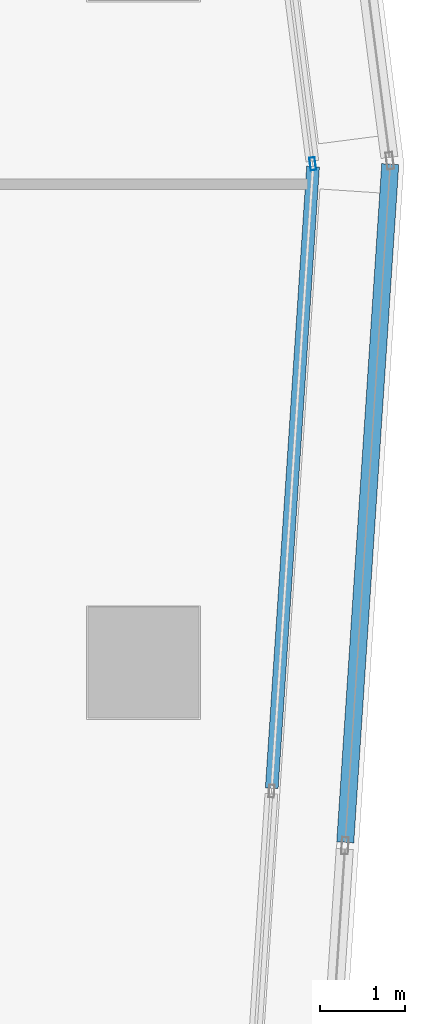
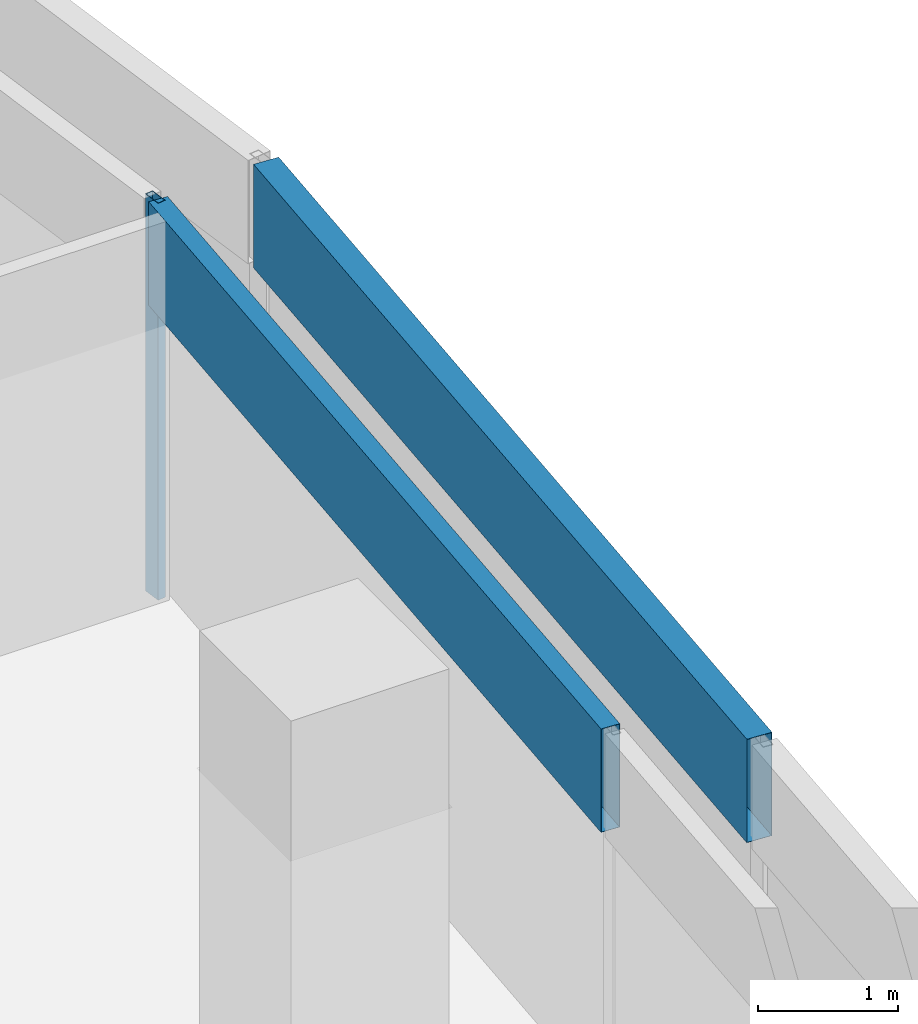
# One storey, part 13 of 30: 3 members, 3 elements without a shape of their own.
"""IFC4 building model written with IfcOpenShell, lengths in metres."""

from ifc_helpers import new_model, si_unit, direction, frame, origin, origin_2d, place, context, subcontext, project, spatial, hollow_rectangle, extrude, material, material_profile, profile_set, type_object, element, aggregate, save


model = new_model("IFC4")

# Units and contexts
model_context = context("Model", 3, precision=1e-05, world=origin(), true_north=direction((0.0, 1.0)))
body_context = subcontext(model_context, "Body", "Model", "MODEL_VIEW")
ifc_project = project(units=[si_unit("LENGTHUNIT", "METRE"), si_unit("AREAUNIT", "SQUARE_METRE"), si_unit("VOLUMEUNIT", "CUBIC_METRE"), si_unit("PLANEANGLEUNIT", "RADIAN"), si_unit("MASSUNIT", "GRAM", prefix="KILO")], contexts=[model_context])

# Site, building, storey
site_placement = place(None, origin())
site = spatial("IfcSite", under=ifc_project, at=site_placement, CompositionType="ELEMENT")
building_placement = place(site_placement, origin())
building = spatial("IfcBuilding", under=site, at=building_placement, Name="Rekha Terrace Tower", CompositionType="ELEMENT")
storey_placement = place(building_placement, frame((0.0, 0.0, 287.60009765625)))
storey = spatial("IfcBuildingStorey", under=building, at=storey_placement, Name="L73", CompositionType="ELEMENT", Elevation=287.60009765625)

# Curtain wall, member
ifc_material_1 = material(Name="Aluminium framing", Category="aluminium")
curtain_wall_type_1 = type_object("IfcCurtainWallType", Name="CW1 double skin inner glazing", PredefinedType="USERDEFINED", material=ifc_material_1)
curtain_wall_1_placement = place(storey_placement, origin())
curtain_wall_1 = element("IfcCurtainWall", 1, at=curtain_wall_1_placement, inside=storey, type_object=curtain_wall_type_1, Name="CW1 double skin inner glazing", ObjectType="DOUBLE SKIN INNER GLAZING", PredefinedType="USERDEFINED")
ifc_material_2 = material(Name="Aluminium mullion section", Category="aluminium")
ifc_material_profile_1 = material_profile(ifc_material_2, hollow_rectangle(XDim=0.06494140625, YDim=0.14990234375, WallThickness=0.00390625, at=origin_2d()), Name="AL RHS 65x150")
ifc_profile_set_1 = profile_set([ifc_material_profile_1], Name="Aluminium mullion section")
member_type_1 = type_object("IfcMemberType", Name="CW1 mullion RHS 65 x 150", PredefinedType="MULLION", material=ifc_profile_set_1)
member_1_placement = place(storey_placement, frame((60.78125, 39.439208984375, 0.0), z_axis=(0.0, 0.0, 1.0), x_axis=(-0.991790949472, -0.127869904766, 0.0)))
member_1 = element("IfcMember", 2, at=member_1_placement, type_object=member_type_1, Name="CW1 mullion 1", PredefinedType="MULLION", context=body_context, shape_type="SweptSolid", body=[
    extrude(hollow_rectangle(XDim=0.06494140625, YDim=0.14990234375, WallThickness=0.00390625, at=origin_2d()), origin(), (0.0, 0.0, 1.0), 3.449951171875),
])
aggregate(curtain_wall_1, [member_1])

curtain_wall_2_placement = place(storey_placement, origin())
curtain_wall_2 = element("IfcCurtainWall", 3, at=curtain_wall_2_placement, inside=storey, type_object=curtain_wall_type_1, Name="CW1 double skin inner glazing", ObjectType="DOUBLE SKIN INNER GLAZING", PredefinedType="USERDEFINED")
ifc_material_3 = material(Name="Insulated aluminium spandrel box", Category="aluminium")
ifc_material_profile_2 = material_profile(ifc_material_3, hollow_rectangle(XDim=0.14990234375, YDim=0.89990234375, WallThickness=0.0029296875, at=origin_2d()), Name="AL SPANDREL BOX 150x900")
ifc_profile_set_2 = profile_set([ifc_material_profile_2], Name="Insulated aluminium spandrel box")
member_type_2 = type_object("IfcMemberType", Name="CW1 spandrel transom 150 x 900", PredefinedType="USERDEFINED", material=ifc_profile_set_2)
member_2_placement = place(storey_placement, frame((60.302001953125, 32.129150390625, 3.0), z_axis=(0.066274633038, 0.99780141963, 0.0), x_axis=(-0.99780141963, 0.066274633038, 0.0)))
member_2 = element("IfcMember", 4, at=member_2_placement, type_object=member_type_2, Name="CW1 spandrel transom 3", ObjectType="TRANSOM", PredefinedType="USERDEFINED", context=body_context, shape_type="SweptSolid", body=[
    extrude(hollow_rectangle(XDim=0.14990234375, YDim=0.89990234375, WallThickness=0.0029296875, at=origin_2d()), origin(), (0.0, 0.0, 1.0), 7.2939453125),
])
aggregate(curtain_wall_2, [member_2])

curtain_wall_type_2 = type_object("IfcCurtainWallType", Name="CW2 double skin outer glazing", PredefinedType="USERDEFINED", material=ifc_material_1)
curtain_wall_3_placement = place(storey_placement, origin())
curtain_wall_3 = element("IfcCurtainWall", 5, at=curtain_wall_3_placement, inside=storey, type_object=curtain_wall_type_2, Name="CW2 double skin outer glazing", ObjectType="DOUBLE SKIN OUTER GLAZING", PredefinedType="USERDEFINED")
ifc_material_profile_3 = material_profile(ifc_material_3, hollow_rectangle(XDim=0.199951171875, YDim=0.89990234375, WallThickness=0.0029296875, at=origin_2d()), Name="AL SPANDREL BOX 200x900")
ifc_profile_set_3 = profile_set([ifc_material_profile_3], Name="Insulated aluminium spandrel box")
member_type_3 = type_object("IfcMemberType", Name="CW2 spandrel transom 200 x 900", PredefinedType="USERDEFINED", material=ifc_profile_set_3)
member_3_placement = place(storey_placement, frame((61.162109375, 31.497314453125, 3.0), z_axis=(0.066258284658, 0.997802505366, 0.0), x_axis=(-0.997802505366, 0.066258284658, 0.0)))
member_3 = element("IfcMember", 6, at=member_3_placement, type_object=member_type_3, Name="CW2 spandrel transom 3", ObjectType="TRANSOM", PredefinedType="USERDEFINED", context=body_context, shape_type="SweptSolid", body=[
    extrude(hollow_rectangle(XDim=0.199951171875, YDim=0.89990234375, WallThickness=0.0029296875, at=origin_2d()), origin(), (0.0, 0.0, 1.0), 7.955322265625),
])
aggregate(curtain_wall_3, [member_3])

save(model, "model.ifc")
